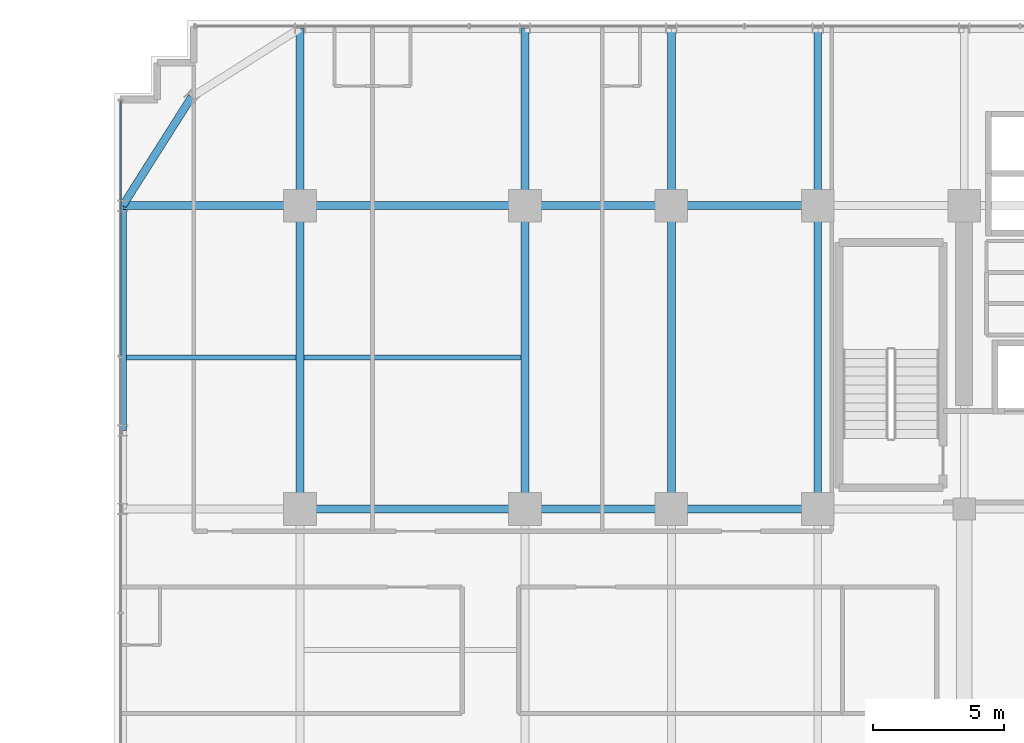
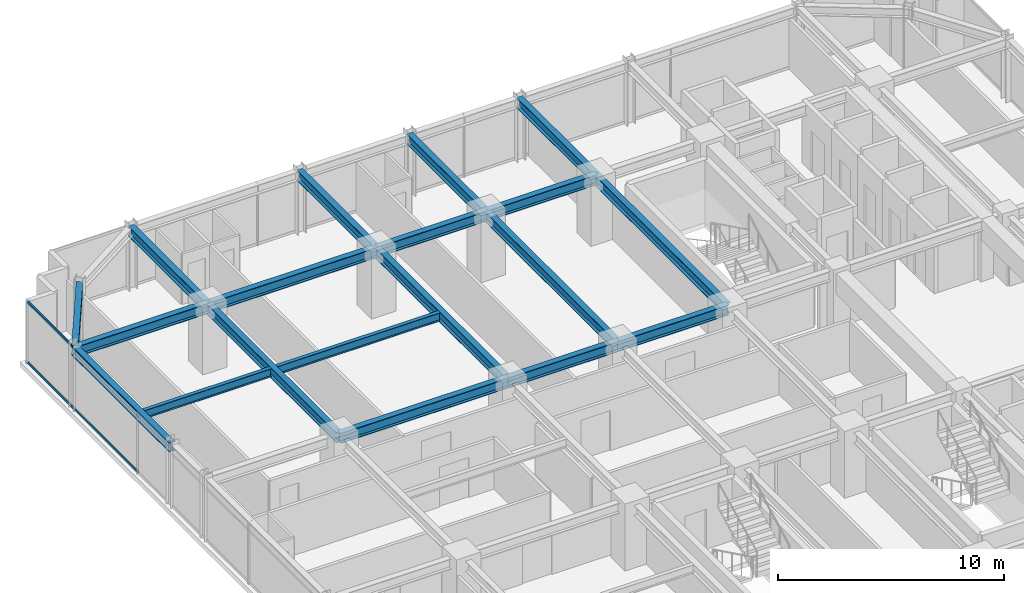
# One storey, part 18 of 32: 19 beams, 2 members, 1 element without a shape of its own.
"""IFC4 building model written with IfcOpenShell, lengths in metres."""

import ifcopenshell
import ifcopenshell.guid

model = None  # the IFC model being written
_history = None  # IfcOwnerHistory: only IFC2X3 demands one
_inside = {}  # id of a spatial element -> (the spatial element, [elements in it])
_under = {}  # id of a project, library or spatial element -> (it, [spatial elements below it])
_declared = {}  # id of a project -> (the project, [libraries it declares])
_typed = {}  # id of a type object -> (the type object, [elements of that type])
_made_of = {}  # id of a material, layer set ... -> (it, [elements and type objects made of it])


def new_model(schema):
    """Start an empty IFC model of exactly this schema.

    Asked for "IFC4X3", IfcOpenShell would pick the latest addendum, in which some entities
    have other attributes; the version numbers below select the first issue.
    IFC2X3 requires an IfcOwnerHistory on every rooted entity: one is made here for all.
    """
    global model, _history
    if schema == "IFC4X3":
        model = ifcopenshell.file(schema_version=(4, 3, 0, 0))
    else:
        model = ifcopenshell.file(schema=schema)
    _inside.clear()
    _under.clear()
    _declared.clear()
    _typed.clear()
    _made_of.clear()
    _history = None
    if model.schema == "IFC2X3":
        org = make("IfcOrganization", Name="unknown")
        user = make(
            "IfcPersonAndOrganization",
            ThePerson=make("IfcPerson", FamilyName="unknown"),
            TheOrganization=org,
        )
        app = make(
            "IfcApplication",
            ApplicationDeveloper=org,
            Version="unknown",
            ApplicationFullName="unknown",
            ApplicationIdentifier="unknown",
        )
        _history = make(
            "IfcOwnerHistory",
            OwningUser=user,
            OwningApplication=app,
            ChangeAction="ADDED",
            CreationDate=0,
        )
    return model


def make(cls, **values):
    """One entity of the class cls with the attributes given. An attribute that is None is left unset."""
    return model.create_entity(
        cls, **{name: value for name, value in values.items() if value is not None}
    )


def rooted(cls, **values):
    """An entity with a GlobalId (a new one), such as an element, a storey or a relation."""
    return make(cls, GlobalId=ifcopenshell.guid.new(), OwnerHistory=_history, **values)


def si_unit(unit_type, name, prefix=None):
    """IfcSIUnit, for example si_unit("LENGTHUNIT", "METRE", prefix="MILLI")."""
    return make("IfcSIUnit", UnitType=unit_type, Prefix=prefix, Name=name)


def assignment(units):
    """IfcUnitAssignment: the units of a project."""
    return None if units is None else make("IfcUnitAssignment", Units=units)


def point(xyz):
    """IfcCartesianPoint."""
    return None if xyz is None else make("IfcCartesianPoint", Coordinates=xyz)


def direction(xyz):
    """IfcDirection."""
    return None if xyz is None else make("IfcDirection", DirectionRatios=xyz)


def frame(location, z_axis=None, x_axis=None):
    """IfcAxis2Placement3D, a coordinate frame: its origin and axes. An axis left out is left unset."""
    return make(
        "IfcAxis2Placement3D",
        Location=point(location),
        Axis=direction(z_axis),
        RefDirection=direction(x_axis),
    )


def frame_2d(location, x_axis=None):
    """IfcAxis2Placement2D, a coordinate frame in the plane: its origin and x axis."""
    return make(
        "IfcAxis2Placement2D", Location=point(location), RefDirection=direction(x_axis)
    )


def origin():
    """The frame at (0, 0, 0) with its axes left unset."""
    return frame((0.0, 0.0, 0.0))


def origin_2d():
    """The frame at (0, 0) in the plane with its x axis left unset."""
    return frame_2d((0.0, 0.0))


def place(relative_to, where):
    """IfcLocalPlacement: puts the frame where relative to a parent placement (None: the world)."""
    return make(
        "IfcLocalPlacement", PlacementRelTo=relative_to, RelativePlacement=where
    )


def context(
    kind, dimensions, precision=None, world=None, true_north=None, identifier=None
):
    """IfcGeometricRepresentationContext, for example the 3D "Model" context."""
    return make(
        "IfcGeometricRepresentationContext",
        ContextIdentifier=identifier,
        ContextType=kind,
        CoordinateSpaceDimension=dimensions,
        Precision=precision,
        WorldCoordinateSystem=world,
        TrueNorth=true_north,
    )


def subcontext(parent, identifier, kind, view, scale=None):
    """IfcGeometricRepresentationSubContext, for example "Body" below "Model"."""
    return make(
        "IfcGeometricRepresentationSubContext",
        ContextIdentifier=identifier,
        ContextType=kind,
        ParentContext=parent,
        TargetScale=scale,
        TargetView=view,
    )


def project(units=None, contexts=None):
    """IfcProject with its units and contexts."""
    return rooted(
        "IfcProject",
        Name="project",
        RepresentationContexts=contexts,
        UnitsInContext=assignment(units),
    )


def spatial(cls, under=None, at=None, **own):
    """A site, building, storey or space (cls), placed at a placement, below another one or the project."""
    s = rooted(cls, ObjectPlacement=at, **own)
    if under is not None:
        _under.setdefault(under.id(), (under, []))[1].append(s)
    return s


def profile(cls, at=None, kind="AREA", **sizes):
    """A parametric profile (cls). Its sizes go by their IFC names, for example OverallWidth=200.0."""
    return make(cls, ProfileType=kind, Position=at, **sizes)


def hollow_rectangle(**sizes):
    """IfcRectangleHollowProfileDef."""
    return profile("IfcRectangleHollowProfileDef", **sizes)


def i_section(**sizes):
    """IfcIShapeProfileDef."""
    return profile("IfcIShapeProfileDef", **sizes)


def extrude(swept, where, along, depth):
    """IfcExtrudedAreaSolid: the profile swept, set in the frame where, extruded along a direction by depth."""
    return make(
        "IfcExtrudedAreaSolid",
        SweptArea=swept,
        Position=where,
        ExtrudedDirection=direction(along),
        Depth=depth,
    )


def shape(context_of_items, identifier, shape_type, items):
    """IfcShapeRepresentation: the items that make up one representation, for example the "Body"."""
    return make(
        "IfcShapeRepresentation",
        ContextOfItems=context_of_items,
        RepresentationIdentifier=identifier,
        RepresentationType=shape_type,
        Items=items,
    )


def source(mapping_origin, context_of_items, identifier, shape_type, items):
    """IfcRepresentationMap: a shape defined once, which mapped items show again and again."""
    return make(
        "IfcRepresentationMap",
        MappingOrigin=mapping_origin,
        MappedRepresentation=shape(context_of_items, identifier, shape_type, items),
    )


def transform(
    local_origin,
    x_axis=None,
    y_axis=None,
    z_axis=None,
    scale=None,
    scale2=None,
    scale3=None,
    uniform=True,
):
    """IfcCartesianTransformationOperator3D, or its non-uniform kind. x_axis, y_axis, z_axis: its Axis1, 2, 3."""
    if uniform:
        return make(
            "IfcCartesianTransformationOperator3D",
            Axis1=direction(x_axis),
            Axis2=direction(y_axis),
            LocalOrigin=point(local_origin),
            Scale=scale,
            Axis3=direction(z_axis),
        )
    return make(
        "IfcCartesianTransformationOperator3DnonUniform",
        Axis1=direction(x_axis),
        Axis2=direction(y_axis),
        LocalOrigin=point(local_origin),
        Scale=scale,
        Axis3=direction(z_axis),
        Scale2=scale2,
        Scale3=scale3,
    )


def mapped(mapping_source, mapping_target):
    """IfcMappedItem: shows the shape of a source again, moved by a transform."""
    return make(
        "IfcMappedItem", MappingSource=mapping_source, MappingTarget=mapping_target
    )


def material(Name=None, Category=None):
    """IfcMaterial."""
    return make("IfcMaterial", Name=Name, Category=Category)


def material_profile(
    of_material, cross_section, Name=None, Category=None, Priority=None
):
    """IfcMaterialProfile: a cross section and its material."""
    return make(
        "IfcMaterialProfile",
        Name=Name,
        Material=of_material,
        Profile=cross_section,
        Priority=Priority,
        Category=Category,
    )


def profile_set(profiles, Name=None, composite=None):
    """IfcMaterialProfileSet."""
    return make(
        "IfcMaterialProfileSet",
        Name=Name,
        MaterialProfiles=profiles,
        CompositeProfile=composite,
    )


def made_of(thing, what):
    """Note that an element or type object is made of a material, layer set ...; save() writes the relation."""
    if what is not None:
        _made_of.setdefault(what.id(), (what, []))[1].append(thing)
    return thing


def type_object(cls, material=None, **own):
    """A type object (cls), such as IfcWallType, which elements share."""
    return made_of(rooted(cls, **own), material)


def element(
    cls,
    number,
    at=None,
    inside=None,
    cuts=None,
    type_object=None,
    material=None,
    context=None,
    identifier="Body",
    shape_type=None,
    held_by="IfcProductDefinitionShape",
    body=None,
    shapes=None,
    **own,
):
    """One element of the class cls, such as IfcWall. Its Tag is "e" and its number.

    at: its placement. inside: the storey or other place that contains it. cuts: it is an
    opening in that element (IfcRelVoidsElement). A single representation is given by context,
    identifier, shape_type and body (its items); several are given by shapes. held_by: the class
    of the entity that holds the representations. save() writes the other relations.
    """
    e = rooted(cls, Tag="e%d" % number, ObjectPlacement=at, **own)
    if body is not None:
        shapes = [shape(context, identifier, shape_type, body)]
    if shapes is not None:
        e.Representation = make(held_by, Representations=shapes)
    if inside is not None:
        _inside.setdefault(inside.id(), (inside, []))[1].append(e)
    if cuts is not None:
        rooted(
            "IfcRelVoidsElement", RelatingBuildingElement=cuts, RelatedOpeningElement=e
        )
    if type_object is not None:
        _typed.setdefault(type_object.id(), (type_object, []))[1].append(e)
    return made_of(e, material)


def aggregate(whole, parts):
    """IfcRelAggregates: a whole, such as a stair, and the parts it consists of."""
    return rooted("IfcRelAggregates", RelatingObject=whole, RelatedObjects=parts)


def save(model, path):
    """Write the relations noted so far, then the file.

    IfcRelAggregates (storeys below a building ...), IfcRelContainedInSpatialStructure (elements
    in a storey), IfcRelDefinesByType, IfcRelAssociatesMaterial and IfcRelDeclares: one each for
    every whole, place, type object, material and project.
    """
    for whole, parts in _under.values():
        aggregate(whole, parts)
    for where, things in _inside.values():
        rooted(
            "IfcRelContainedInSpatialStructure",
            RelatedElements=things,
            RelatingStructure=where,
        )
    for kind, things in _typed.values():
        rooted("IfcRelDefinesByType", RelatedObjects=things, RelatingType=kind)
    for what, things in _made_of.values():
        rooted("IfcRelAssociatesMaterial", RelatedObjects=things, RelatingMaterial=what)
    for by, libraries in _declared.values():
        rooted("IfcRelDeclares", RelatingContext=by, RelatedDefinitions=libraries)
    model.write(path)


model = new_model("IFC4")

# Units and contexts
model_context = context("Model", 3, precision=1e-05, world=origin(), true_north=direction((0.0, 1.0)))
body_context = subcontext(model_context, "Body", "Model", "MODEL_VIEW")
ifc_project = project(units=[si_unit("LENGTHUNIT", "METRE"), si_unit("AREAUNIT", "SQUARE_METRE"), si_unit("VOLUMEUNIT", "CUBIC_METRE"), si_unit("PLANEANGLEUNIT", "RADIAN"), si_unit("MASSUNIT", "GRAM", prefix="KILO")], contexts=[model_context])

# Site, building, storey
site_placement = place(None, origin())
site = spatial("IfcSite", under=ifc_project, at=site_placement, CompositionType="ELEMENT")
building_placement = place(site_placement, origin())
building = spatial("IfcBuilding", under=site, at=building_placement, Name="Nahalor Promenade Grand Hotel", CompositionType="ELEMENT")
storey_placement = place(building_placement, frame((0.0, 0.0, 110.199951171875)))
storey = spatial("IfcBuildingStorey", under=building, at=storey_placement, Name="L27", CompositionType="ELEMENT", Elevation=110.199951171875)

# Beams
ifc_material_1 = material(Name="Steel S355JR", Category="steel")
ifc_material_profile_1 = material_profile(ifc_material_1, i_section(OverallWidth=0.3, OverallDepth=0.5, WebThickness=0.0145, FlangeThickness=0.028, at=origin_2d()), Name="HEB 500")
ifc_profile_set_1 = profile_set([ifc_material_profile_1], Name="Steel S355JR")
beam_type_1 = type_object("IfcBeamType", Name="Beam-Spandrel-HEB500", PredefinedType="SPANDREL", material=ifc_profile_set_1)
shared_shape_1 = source(origin(), body_context, "Body", "SweptSolid", [
    extrude(i_section(OverallWidth=0.3, OverallDepth=0.5, WebThickness=0.0145, FlangeThickness=0.028, at=origin_2d()), origin(), (0.0, 0.0, 1.0), 8.60009765625),
])
beam_1_placement = place(storey_placement, frame((-23.780029296875, 8.39990234375, 3.130126953125), z_axis=(0.0, 1.0, 0.0), x_axis=(-1.0, 0.0, 0.0)))
element("IfcBeam", 1, at=beam_1_placement, inside=storey, type_object=beam_type_1, Name="BM-L27-SP-W-4", PredefinedType="SPANDREL", context=body_context, shape_type="MappedRepresentation", body=[
    mapped(shared_shape_1, transform((0.0, 0.0, 0.0), scale=1.0)),
])
shared_shape_2 = source(origin(), body_context, "Body", "SweptSolid", [
    extrude(i_section(OverallWidth=0.3, OverallDepth=0.5, WebThickness=0.0145, FlangeThickness=0.028, at=origin_2d()), origin(), (0.0, 0.0, 1.0), 4.9130859375),
])
beam_2_placement = place(storey_placement, frame((-21.14990234375, 21.14990234375, 3.130126953125), z_axis=(-0.535321591403, -0.844648325505, 0.0), x_axis=(0.844648325505, -0.535321591403, 0.0)))
element("IfcBeam", 2, at=beam_2_placement, inside=storey, type_object=beam_type_1, Name="BM-L27-SPC-NW-2", PredefinedType="SPANDREL", context=body_context, shape_type="MappedRepresentation", body=[
    mapped(shared_shape_2, transform((0.0, 0.0, 0.0), scale=1.0)),
])
ifc_material_profile_2 = material_profile(ifc_material_1, i_section(OverallWidth=0.3, OverallDepth=0.55, WebThickness=0.015, FlangeThickness=0.029, at=origin_2d()), Name="HEB 550")
ifc_profile_set_2 = profile_set([ifc_material_profile_2], Name="Steel S355JR")
beam_type_2 = type_object("IfcBeamType", Name="Beam-Girder-HEB550", PredefinedType="BEAM", material=ifc_profile_set_2)
shared_shape_3 = source(origin(), body_context, "Body", "SweptSolid", [
    extrude(i_section(OverallWidth=0.3, OverallDepth=0.55, WebThickness=0.015, FlangeThickness=0.029, at=origin_2d()), origin(), (0.0, 0.0, 1.0), 6.780029296875),
])
for number, where, z_axis, x_axis, name in (
    (3, (-23.780029296875, 17.0, 3.10498046875), (1.0, 0.0, 0.0), (0.0, 1.0, 0.0), "BM-L27-GX-3-0"),
    (4, (-17.0, 17.0, 3.10498046875), (0.0, 1.0, 0.0), (-1.0, 0.0, 0.0), "BM-L27-GY-0-4"),
    (5, (-8.39990234375, 17.0, 3.10498046875), (0.0, 1.0, 0.0), (-1.0, 0.0, 0.0), "BM-L27-GY-1-4"),
    (6, (-2.800048828125, 17.0, 3.10498046875), (0.0, 1.0, 0.0), (-1.0, 0.0, 0.0), "BM-L27-GY-2-4"),
    (7, (2.800048828125, 17.0, 3.10498046875), (0.0, 1.0, 0.0), (-1.0, 0.0, 0.0), "BM-L27-GY-3-4"),
):
    element("IfcBeam", number, at=place(storey_placement, frame(where, z_axis=z_axis, x_axis=x_axis)), inside=storey, type_object=beam_type_2, Name=name, PredefinedType="BEAM", context=body_context, shape_type="MappedRepresentation", body=[
        mapped(shared_shape_3, transform((0.0, 0.0, 0.0), scale=1.0)),
    ])
shared_shape_4 = source(origin(), body_context, "Body", "SweptSolid", [
    extrude(i_section(OverallWidth=0.3, OverallDepth=0.55, WebThickness=0.015, FlangeThickness=0.029, at=origin_2d()), origin(), (0.0, 0.0, 1.0), 8.60009765625),
])
for number, where, z_axis, x_axis, name in (
    (8, (-17.0, 5.39990234375, 3.10498046875), (1.0, 0.0, 0.0), (0.0, 1.0, 0.0), "BM-L27-GX-2-1"),
    (9, (-17.0, 17.0, 3.10498046875), (1.0, 0.0, 0.0), (0.0, 1.0, 0.0), "BM-L27-GX-3-1"),
):
    element("IfcBeam", number, at=place(storey_placement, frame(where, z_axis=z_axis, x_axis=x_axis)), inside=storey, type_object=beam_type_2, Name=name, PredefinedType="BEAM", context=body_context, shape_type="MappedRepresentation", body=[
        mapped(shared_shape_4, transform((0.0, 0.0, 0.0), scale=1.0)),
    ])
shared_shape_5 = source(origin(), body_context, "Body", "SweptSolid", [
    extrude(i_section(OverallWidth=0.3, OverallDepth=0.55, WebThickness=0.015, FlangeThickness=0.029, at=origin_2d()), origin(), (0.0, 0.0, 1.0), 5.599853515625),
])
for number, where, z_axis, x_axis, name in (
    (10, (-8.39990234375, 5.39990234375, 3.10498046875), (1.0, 0.0, 0.0), (0.0, 1.0, 0.0), "BM-L27-GX-2-2"),
    (11, (-8.39990234375, 17.0, 3.10498046875), (1.0, 0.0, 0.0), (0.0, 1.0, 0.0), "BM-L27-GX-3-2"),
):
    element("IfcBeam", number, at=place(storey_placement, frame(where, z_axis=z_axis, x_axis=x_axis)), inside=storey, type_object=beam_type_2, Name=name, PredefinedType="BEAM", context=body_context, shape_type="MappedRepresentation", body=[
        mapped(shared_shape_5, transform((0.0, 0.0, 0.0), scale=1.0)),
    ])
shared_shape_6 = source(origin(), body_context, "Body", "SweptSolid", [
    extrude(i_section(OverallWidth=0.3, OverallDepth=0.55, WebThickness=0.015, FlangeThickness=0.029, at=origin_2d()), origin(), (0.0, 0.0, 1.0), 5.60009765625),
])
for number, where, z_axis, x_axis, name in (
    (12, (-2.800048828125, 5.39990234375, 3.10498046875), (1.0, 0.0, 0.0), (0.0, 1.0, 0.0), "BM-L27-GX-2-3"),
    (13, (-2.800048828125, 17.0, 3.10498046875), (1.0, 0.0, 0.0), (0.0, 1.0, 0.0), "BM-L27-GX-3-3"),
):
    element("IfcBeam", number, at=place(storey_placement, frame(where, z_axis=z_axis, x_axis=x_axis)), inside=storey, type_object=beam_type_2, Name=name, PredefinedType="BEAM", context=body_context, shape_type="MappedRepresentation", body=[
        mapped(shared_shape_6, transform((0.0, 0.0, 0.0), scale=1.0)),
    ])
shared_shape_7 = source(origin(), body_context, "Body", "SweptSolid", [
    extrude(i_section(OverallWidth=0.3, OverallDepth=0.55, WebThickness=0.015, FlangeThickness=0.029, at=origin_2d()), origin(), (0.0, 0.0, 1.0), 11.60009765625),
])
for number, where, z_axis, x_axis, name in (
    (14, (-17.0, 5.39990234375, 3.10498046875), (0.0, 1.0, 0.0), (-1.0, 0.0, 0.0), "BM-L27-GY-0-3"),
    (15, (-8.39990234375, 5.39990234375, 3.10498046875), (0.0, 1.0, 0.0), (-1.0, 0.0, 0.0), "BM-L27-GY-1-3"),
    (16, (-2.800048828125, 5.39990234375, 3.10498046875), (0.0, 1.0, 0.0), (-1.0, 0.0, 0.0), "BM-L27-GY-2-3"),
    (17, (2.800048828125, 5.39990234375, 3.10498046875), (0.0, 1.0, 0.0), (-1.0, 0.0, 0.0), "BM-L27-GY-3-3"),
):
    element("IfcBeam", number, at=place(storey_placement, frame(where, z_axis=z_axis, x_axis=x_axis)), inside=storey, type_object=beam_type_2, Name=name, PredefinedType="BEAM", context=body_context, shape_type="MappedRepresentation", body=[
        mapped(shared_shape_7, transform((0.0, 0.0, 0.0), scale=1.0)),
    ])
ifc_material_profile_3 = material_profile(ifc_material_1, i_section(OverallWidth=0.19, OverallDepth=0.45, WebThickness=0.0094, FlangeThickness=0.0146, at=origin_2d()), Name="IPE 450")
ifc_profile_set_3 = profile_set([ifc_material_profile_3], Name="Steel S355JR")
beam_type_3 = type_object("IfcBeamType", Name="Beam-Joist-IPE450", PredefinedType="JOIST", material=ifc_profile_set_3)
shared_shape_8 = source(origin(), body_context, "Body", "SweptSolid", [
    extrude(i_section(OverallWidth=0.19, OverallDepth=0.45, WebThickness=0.0094, FlangeThickness=0.0146, at=origin_2d()), origin(), (0.0, 0.0, 1.0), 6.47998046875),
])
beam_3_placement = place(storey_placement, frame((-23.6298828125, 11.199951171875, 3.155029296875), z_axis=(1.0, 0.0, 0.0), x_axis=(0.0, 1.0, 0.0)))
element("IfcBeam", 18, at=beam_3_placement, inside=storey, type_object=beam_type_3, Name="BM-L27-JSW-1-0", PredefinedType="JOIST", context=body_context, shape_type="MappedRepresentation", body=[
    mapped(shared_shape_8, transform((0.0, 0.0, 0.0), scale=1.0)),
])
shared_shape_9 = source(origin(), body_context, "Body", "SweptSolid", [
    extrude(i_section(OverallWidth=0.19, OverallDepth=0.45, WebThickness=0.0094, FlangeThickness=0.0146, at=origin_2d()), origin(), (0.0, 0.0, 1.0), 8.300048828125),
])
beam_4_placement = place(storey_placement, frame((-16.85009765625, 11.199951171875, 3.155029296875), z_axis=(1.0, 0.0, 0.0), x_axis=(0.0, 1.0, 0.0)))
element("IfcBeam", 19, at=beam_4_placement, inside=storey, type_object=beam_type_3, Name="BM-L27-JSW-1-1", PredefinedType="JOIST", context=body_context, shape_type="MappedRepresentation", body=[
    mapped(shared_shape_9, transform((0.0, 0.0, 0.0), scale=1.0)),
])

# Curtain wall, members
ifc_material_2 = material(Name="Anodised Bronze Aluminium EN AW-6063 T6", Category="aluminium")
curtain_wall_type = type_object("IfcCurtainWallType", Name="CW2 Typical Hotel Flush Bronze Unitised Curtain Wall", PredefinedType="USERDEFINED", material=ifc_material_2)
curtain_wall_placement = place(storey_placement, origin())
curtain_wall = element("IfcCurtainWall", 20, at=curtain_wall_placement, inside=storey, type_object=curtain_wall_type, Name="L27 Curtain Wall CW-L27-W-3", ObjectType="UNITISED_CURTAIN_WALL", PredefinedType="USERDEFINED")
ifc_material_profile_4 = material_profile(ifc_material_2, hollow_rectangle(XDim=0.065, YDim=0.13, WallThickness=0.004, at=origin_2d()), Name="CWT 65x130x4")
ifc_profile_set_4 = profile_set([ifc_material_profile_4], Name="Anodised Bronze Aluminium EN AW-6063 T6")
member_type = type_object("IfcMemberType", Name="CWT2 Typical Bronze Transom 65x130", PredefinedType="USERDEFINED", material=ifc_profile_set_4)
shared_shape_10 = source(origin(), body_context, "Body", "SweptSolid", [
    extrude(hollow_rectangle(XDim=0.065, YDim=0.13, WallThickness=0.004, at=origin_2d()), origin(), (0.0, 0.0, 1.0), 9.72265625),
])
member_1_placement = place(storey_placement, frame((-23.860107421875, 11.2724609375, 0.06494140625), z_axis=(0.0, 1.0, 0.0), x_axis=(-1.0, 0.0, 0.0)))
member_1 = element("IfcMember", 21, at=member_1_placement, type_object=member_type, Name="CW-L27-W-3 Transom 2-0", ObjectType="TRANSOM", PredefinedType="USERDEFINED", context=body_context, shape_type="MappedRepresentation", body=[
    mapped(shared_shape_10, transform((0.0, 0.0, 0.0), scale=1.0)),
])
member_2_placement = place(storey_placement, frame((-23.860107421875, 11.2724609375, 3.31494140625), z_axis=(0.0, 1.0, 0.0), x_axis=(-1.0, 0.0, 0.0)))
member_2 = element("IfcMember", 22, at=member_2_placement, type_object=member_type, Name="CW-L27-W-3 Transom 2-1", ObjectType="TRANSOM", PredefinedType="USERDEFINED", context=body_context, shape_type="MappedRepresentation", body=[
    mapped(shared_shape_10, transform((0.0, 0.0, 0.0), scale=1.0)),
])
aggregate(curtain_wall, [member_1, member_2])

save(model, "model.ifc")
